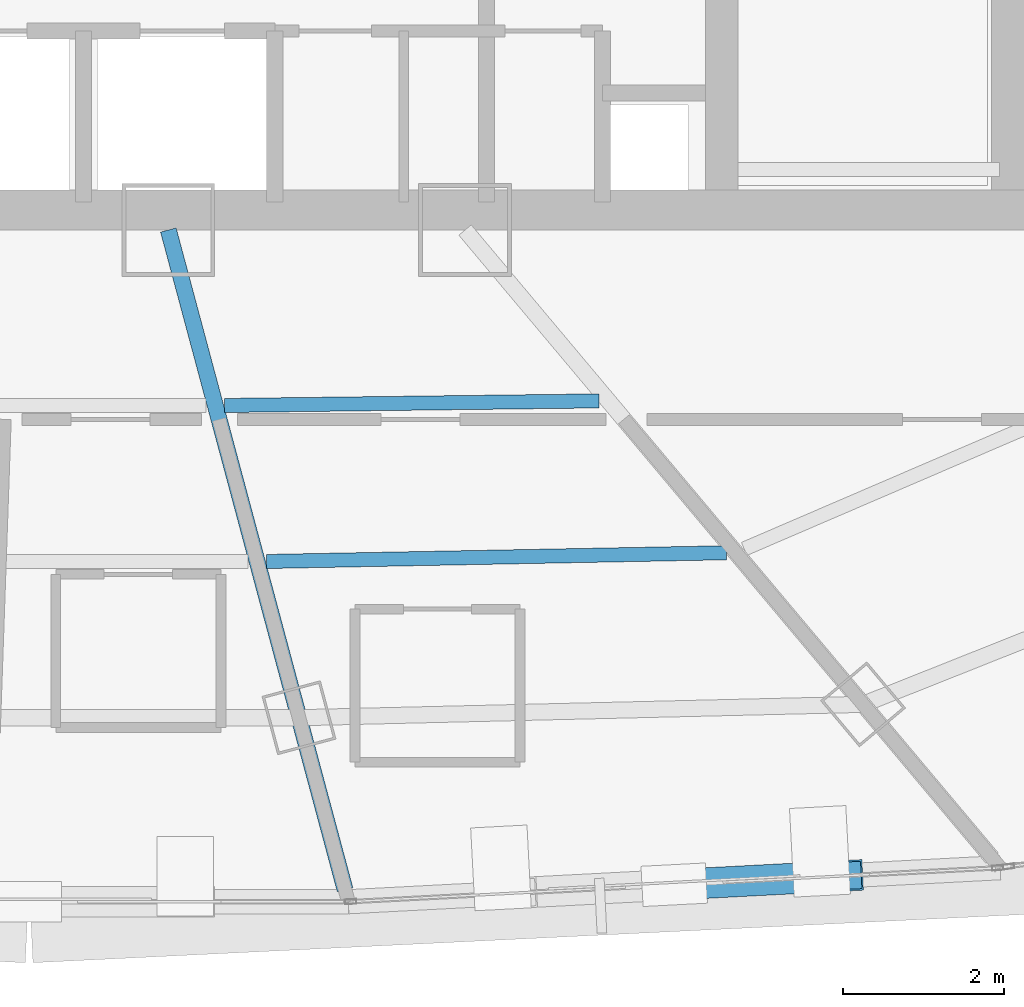
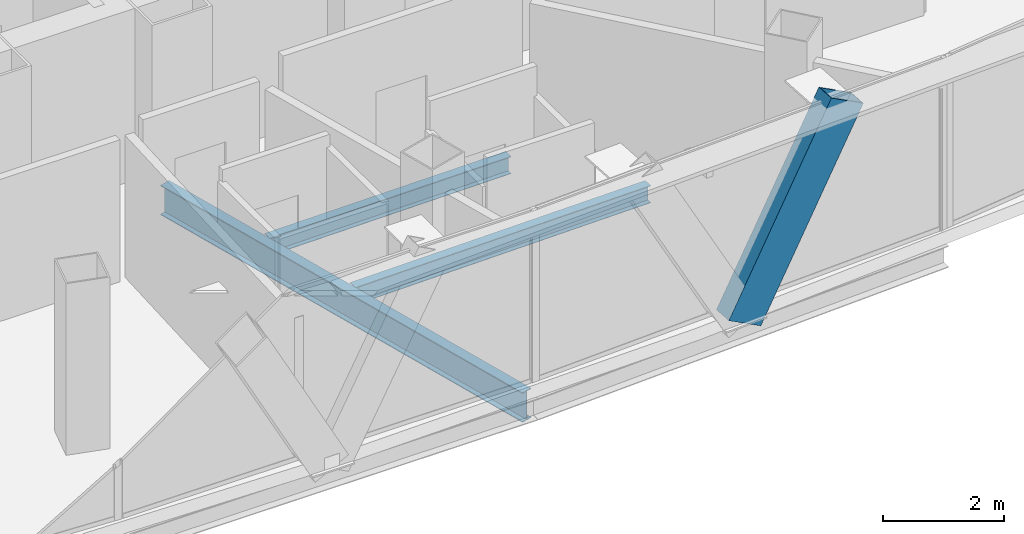
# One storey, part 11 of 39: 3 beams, 1 member.
"""IFC4 building model written with IfcOpenShell, lengths in metres."""

from ifc_helpers import new_model, si_unit, direction, frame, origin, origin_2d, place, context, subcontext, project, spatial, hollow_rectangle, i_section, extrude, source, transform, mapped, material, material_profile, profile_set, type_object, element, save


model = new_model("IFC4")

# Units and contexts
model_context = context("Model", 3, precision=1e-05, world=origin(), true_north=direction((0.0, 1.0)))
body_context = subcontext(model_context, "Body", "Model", "MODEL_VIEW")
ifc_project = project(units=[si_unit("LENGTHUNIT", "METRE"), si_unit("AREAUNIT", "SQUARE_METRE"), si_unit("VOLUMEUNIT", "CUBIC_METRE"), si_unit("PLANEANGLEUNIT", "RADIAN"), si_unit("MASSUNIT", "GRAM", prefix="KILO"), si_unit("THERMODYNAMICTEMPERATUREUNIT", "KELVIN"), si_unit("POWERUNIT", "WATT")], contexts=[model_context])

# Site, building, storey
site_placement = place(None, origin())
site = spatial("IfcSite", under=ifc_project, at=site_placement, CompositionType="ELEMENT")
building_placement = place(site_placement, origin())
building = spatial("IfcBuilding", under=site, at=building_placement, Name="Yunzhuo Pagoda Commons", CompositionType="ELEMENT")
storey_placement = place(building_placement, frame((0.0, 0.0, 296.2099609375)))
storey = spatial("IfcBuildingStorey", under=building, at=storey_placement, Name="L74", CompositionType="ELEMENT", Elevation=296.2099609375)

# Beams
ifc_material = material(Name="Structural steel Q355B", Category="steel")
ifc_material_profile_1 = material_profile(ifc_material, i_section(OverallWidth=0.175048828125, OverallDepth=0.35009765625, WebThickness=0.007080078125, FlangeThickness=0.010986328125, at=origin_2d()), Name="Structural steel Q355B")
ifc_profile_set_1 = profile_set([ifc_material_profile_1], Name="Structural steel Q355B")
beam_type_1 = type_object("IfcBeamType", Name="B-JS2 Joist HN 350x175x7x11", PredefinedType="JOIST", material=ifc_profile_set_1)
shared_shape_1 = source(origin(), body_context, "Body", "SweptSolid", [
    extrude(i_section(OverallWidth=0.175048828125, OverallDepth=0.35009765625, WebThickness=0.007080078125, FlangeThickness=0.010986328125, at=origin_2d()), origin(), (0.0, 0.0, 1.0), 4.64892578125),
])
beam_1_placement = place(storey_placement, frame((50.42724609375, 25.07177734375, -0.43505859375), z_axis=(0.999924495467, 0.012288342626, 0.0), x_axis=(-0.012288342626, 0.999924495467, 0.0)))
element("IfcBeam", 1, at=beam_1_placement, inside=storey, type_object=beam_type_1, Name="L74 composite ring joist 1.3", PredefinedType="JOIST", context=body_context, shape_type="MappedRepresentation", body=[
    mapped(shared_shape_1, transform((0.0, 0.0, 0.0), scale=1.0)),
])
shared_shape_2 = source(origin(), body_context, "Body", "SweptSolid", [
    extrude(i_section(OverallWidth=0.175048828125, OverallDepth=0.35009765625, WebThickness=0.007080078125, FlangeThickness=0.010986328125, at=origin_2d()), origin(), (0.0, 0.0, 1.0), 5.711669921875),
])
beam_2_placement = place(storey_placement, frame((50.9462890625, 23.135009765625, -0.43505859375), z_axis=(0.999819084998, 0.019020969297, 0.0), x_axis=(-0.019020969297, 0.999819084998, 0.0)))
element("IfcBeam", 2, at=beam_2_placement, inside=storey, type_object=beam_type_1, Name="L74 composite ring joist 2.3", PredefinedType="JOIST", context=body_context, shape_type="MappedRepresentation", body=[
    mapped(shared_shape_2, transform((0.0, 0.0, 0.0), scale=1.0)),
])
ifc_material_profile_2 = material_profile(ifc_material, i_section(OverallWidth=0.199951171875, OverallDepth=0.60009765625, WebThickness=0.010986328125, FlangeThickness=0.01708984375, at=origin_2d()), Name="Structural steel Q355B")
ifc_profile_set_2 = profile_set([ifc_material_profile_2], Name="Structural steel Q355B")
beam_type_2 = type_object("IfcBeamType", Name="B-RG3 Beam HN 600x200x11x17", PredefinedType="BEAM", material=ifc_profile_set_2)
shared_shape_3 = source(origin(), body_context, "Body", "SweptSolid", [
    extrude(i_section(OverallWidth=0.199951171875, OverallDepth=0.60009765625, WebThickness=0.010986328125, FlangeThickness=0.01708984375, at=origin_2d()), origin(), (0.0, 0.0, 1.0), 8.478515625),
])
beam_3_placement = place(storey_placement, frame((51.922607421875, 19.060302734375, -0.56005859375), z_axis=(-0.258782623342, 0.965935584734, 0.0), x_axis=(-0.965935584734, -0.258782623342, 0.0)))
element("IfcBeam", 3, at=beam_3_placement, inside=storey, type_object=beam_type_2, Name="L74 radial floor girder F1C3", PredefinedType="BEAM", context=body_context, shape_type="MappedRepresentation", body=[
    mapped(shared_shape_3, transform((0.0, 0.0, 0.0), scale=1.0)),
])

# Member
ifc_material_profile_3 = material_profile(ifc_material, hollow_rectangle(XDim=0.3798828125, YDim=0.719970703125, WallThickness=0.02001953125, at=origin_2d()), Name="Structural steel Q355B")
ifc_profile_set_3 = profile_set([ifc_material_profile_3], Name="Structural steel Q355B")
member_type = type_object("IfcMemberType", Name="M-DL3 Brace BOX 720x380x20", PredefinedType="BRACE", material=ifc_profile_set_3)
shared_shape_4 = source(origin(), body_context, "Body", "SweptSolid", [
    extrude(hollow_rectangle(XDim=0.3798828125, YDim=0.719970703125, WallThickness=0.02001953125, at=origin_2d()), origin(), (0.0, 0.0, 1.0), 4.24462890625),
])
member_placement = place(storey_placement, frame((56.0087890625, 19.1220703125, -0.260009765625), z_axis=(0.476643031928, 0.024904842865, 0.878744086134), x_axis=(-0.052179333581, 0.998637730685, 0.0)))
element("IfcMember", 4, at=member_placement, inside=storey, type_object=member_type, Name="L74 facade diamond brace F1.3R", PredefinedType="BRACE", context=body_context, shape_type="MappedRepresentation", body=[
    mapped(shared_shape_4, transform((0.0, 0.0, 0.0), scale=1.0)),
])

save(model, "model.ifc")
